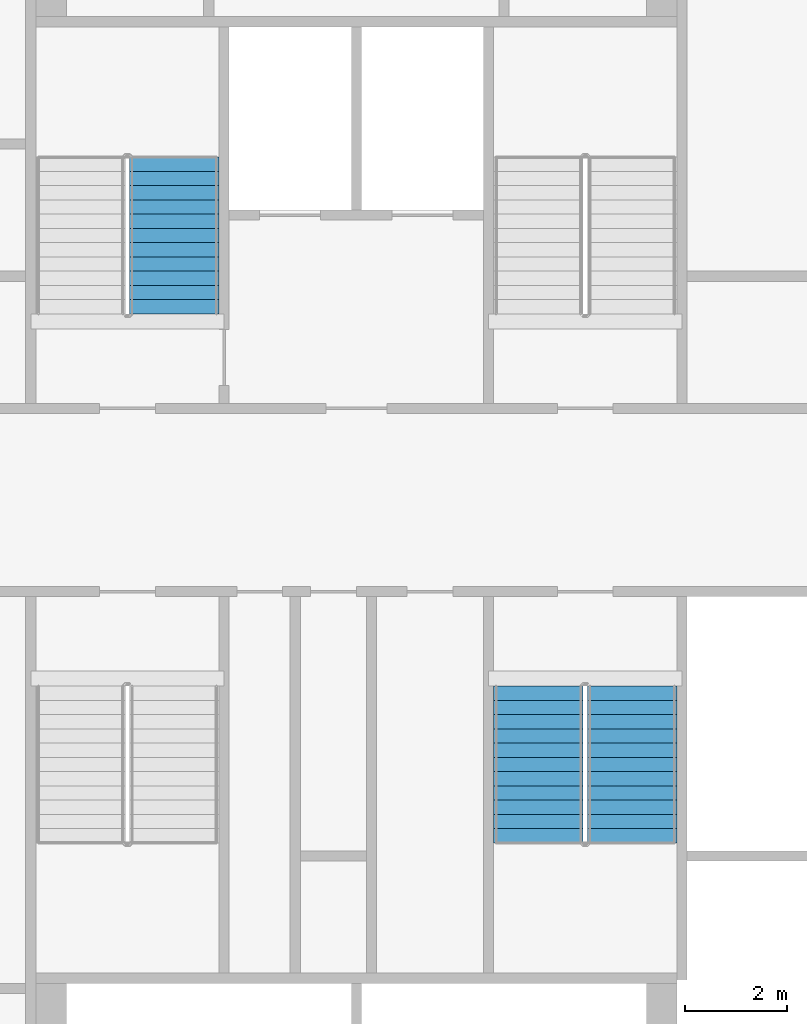
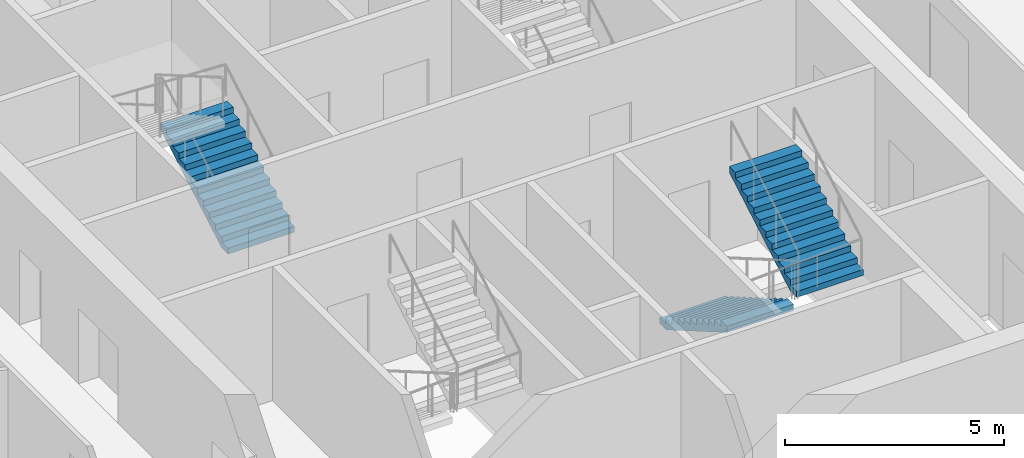
# One storey, part 15 of 21: 3 stair flights, 2 elements without a shape of their own.
"""IFC4 building model written with IfcOpenShell, lengths in metres."""

from ifc_helpers import new_model, si_unit, direction, frame, origin, place, context, subcontext, project, spatial, faceted_brep, material, type_object, element, aggregate, save


model = new_model("IFC4")

# Units and contexts
model_context = context("Model", 3, precision=1e-05, world=origin(), true_north=direction((0.0, 1.0)))
body_context = subcontext(model_context, "Body", "Model", "MODEL_VIEW")
ifc_project = project(units=[si_unit("LENGTHUNIT", "METRE"), si_unit("AREAUNIT", "SQUARE_METRE"), si_unit("VOLUMEUNIT", "CUBIC_METRE"), si_unit("PLANEANGLEUNIT", "RADIAN"), si_unit("MASSUNIT", "GRAM", prefix="KILO")], contexts=[model_context])

# Site, building, storey
site_placement = place(None, origin())
site = spatial("IfcSite", under=ifc_project, at=site_placement, CompositionType="ELEMENT")
building_placement = place(site_placement, origin())
building = spatial("IfcBuilding", under=site, at=building_placement, Name="Tarsis Ring Headquarters", CompositionType="ELEMENT")
storey_placement = place(building_placement, frame((0.0, 0.0, 208.199951171875)))
storey = spatial("IfcBuildingStorey", under=building, at=storey_placement, Name="L48", CompositionType="ELEMENT", Elevation=208.199951171875)

# Stair, stair flight
ifc_material_1 = material(Name="Core stair 1760")
stair_type = type_object("IfcStairType", Name="Core stair 1760", PredefinedType="HALF_TURN_STAIR", material=ifc_material_1)
stair_1_placement = place(storey_placement, origin())
stair_1 = element("IfcStair", 1, at=stair_1_placement, inside=storey, type_object=stair_type, Name="L48 Firefighting stair", PredefinedType="HALF_TURN_STAIR")
ifc_material_2 = material(Name="Concrete C40/50", Category="concrete")
stair_flight_type = type_object("IfcStairFlightType", Name="Core stair flight 1760", PredefinedType="STRAIGHT", material=ifc_material_2)
stair_flight_1_placement = place(storey_placement, frame((-3.580078125, 3.659912109375, 0.0), z_axis=(0.0, 0.0, 1.0), x_axis=(0.0, 1.0, 0.0)))
stair_flight_1 = element("IfcStairFlight", 2, at=stair_flight_1_placement, type_object=stair_flight_type, Name="Stair ST1 flight 1", NumberOfRisers=12, NumberOfTreads=11, PredefinedType="STRAIGHT", RiserHeight=0.1625, TreadLength=0.28, context=body_context, shape_type="Brep", body=[
    faceted_brep([(0.0, 0.8798828125, 0.0), (0.0, 0.8798828125, 0.16259765625), (0.280029296875, 0.8798828125, 0.16259765625), (0.280029296875, 0.8798828125, 0.324951171875), (0.56005859375, 0.8798828125, 0.324951171875), (0.56005859375, 0.8798828125, 0.487548828125), (0.840087890625, 0.8798828125, 0.487548828125), (0.840087890625, 0.8798828125, 0.64990234375), (1.1201171875, 0.8798828125, 0.64990234375), (1.1201171875, 0.8798828125, 0.8125), (1.39990234375, 0.8798828125, 0.8125), (1.39990234375, 0.8798828125, 0.97509765625), (1.679931640625, 0.8798828125, 0.97509765625), (1.679931640625, 0.8798828125, 1.137451171875), (1.9599609375, 0.8798828125, 1.137451171875), (1.9599609375, 0.8798828125, 1.300048828125), (2.239990234375, 0.8798828125, 1.300048828125), (2.239990234375, 0.8798828125, 1.46240234375), (2.52001953125, 0.8798828125, 1.46240234375), (2.52001953125, 0.8798828125, 1.625), (2.800048828125, 0.8798828125, 1.625), (2.800048828125, 0.8798828125, 1.78759765625), (3.080078125, 0.8798828125, 1.78759765625), (3.080078125, 0.8798828125, 1.6142578125), (0.298583984375, 0.8798828125, 0.0), (0.298583984375, -0.8798828125, 0.0), (3.080078125, -0.8798828125, 1.6142578125), (3.080078125, -0.8798828125, 1.78759765625), (2.800048828125, -0.8798828125, 1.78759765625), (2.800048828125, -0.8798828125, 1.625), (2.52001953125, -0.8798828125, 1.625), (2.52001953125, -0.8798828125, 1.46240234375), (2.239990234375, -0.8798828125, 1.46240234375), (2.239990234375, -0.8798828125, 1.300048828125), (1.9599609375, -0.8798828125, 1.300048828125), (1.9599609375, -0.8798828125, 1.137451171875), (1.679931640625, -0.8798828125, 1.137451171875), (1.679931640625, -0.8798828125, 0.97509765625), (1.39990234375, -0.8798828125, 0.97509765625), (1.39990234375, -0.8798828125, 0.8125), (1.1201171875, -0.8798828125, 0.8125), (1.1201171875, -0.8798828125, 0.64990234375), (0.840087890625, -0.8798828125, 0.64990234375), (0.840087890625, -0.8798828125, 0.487548828125), (0.56005859375, -0.8798828125, 0.487548828125), (0.56005859375, -0.8798828125, 0.324951171875), (0.280029296875, -0.8798828125, 0.324951171875), (0.280029296875, -0.8798828125, 0.16259765625), (0.0, -0.8798828125, 0.16259765625), (0.0, -0.8798828125, 0.0), (0.0, -0.43994140625, 0.16259765625), (0.0, -0.43994140625, 0.0), (0.0, 0.0, 0.16259765625), (0.0, 0.0, 0.0), (0.0, 0.43994140625, 0.16259765625), (0.0, 0.43994140625, 0.0), (0.280029296875, -0.43994140625, 0.16259765625), (0.280029296875, 0.0, 0.16259765625), (0.280029296875, 0.43994140625, 0.16259765625), (0.280029296875, -0.43994140625, 0.324951171875), (0.280029296875, 0.0, 0.324951171875), (0.280029296875, 0.43994140625, 0.324951171875), (0.56005859375, -0.43994140625, 0.324951171875), (0.56005859375, 0.0, 0.324951171875), (0.56005859375, 0.43994140625, 0.324951171875), (0.56005859375, -0.43994140625, 0.487548828125), (0.56005859375, 0.0, 0.487548828125), (0.56005859375, 0.43994140625, 0.487548828125), (0.840087890625, -0.43994140625, 0.487548828125), (0.840087890625, 0.0, 0.487548828125), (0.840087890625, 0.43994140625, 0.487548828125), (0.840087890625, -0.43994140625, 0.64990234375), (0.840087890625, 0.0, 0.64990234375), (0.840087890625, 0.43994140625, 0.64990234375), (1.1201171875, -0.43994140625, 0.64990234375), (1.1201171875, 0.0, 0.64990234375), (1.1201171875, 0.43994140625, 0.64990234375), (1.1201171875, -0.43994140625, 0.8125), (1.1201171875, 0.0, 0.8125), (1.1201171875, 0.43994140625, 0.8125), (1.39990234375, -0.43994140625, 0.8125), (1.39990234375, 0.0, 0.8125), (1.39990234375, 0.43994140625, 0.8125), (1.39990234375, -0.43994140625, 0.97509765625), (1.39990234375, 0.0, 0.97509765625), (1.39990234375, 0.43994140625, 0.97509765625), (1.679931640625, -0.43994140625, 0.97509765625), (1.679931640625, 0.0, 0.97509765625), (1.679931640625, 0.43994140625, 0.97509765625), (1.679931640625, -0.43994140625, 1.137451171875), (1.679931640625, 0.0, 1.137451171875), (1.679931640625, 0.43994140625, 1.137451171875), (1.9599609375, -0.43994140625, 1.137451171875), (1.9599609375, 0.0, 1.137451171875), (1.9599609375, 0.43994140625, 1.137451171875), (1.9599609375, -0.43994140625, 1.300048828125), (1.9599609375, 0.0, 1.300048828125), (1.9599609375, 0.43994140625, 1.300048828125), (2.239990234375, -0.43994140625, 1.300048828125), (2.239990234375, 0.0, 1.300048828125), (2.239990234375, 0.43994140625, 1.300048828125), (2.239990234375, -0.43994140625, 1.46240234375), (2.239990234375, 0.0, 1.46240234375), (2.239990234375, 0.43994140625, 1.46240234375), (2.52001953125, -0.43994140625, 1.46240234375), (2.52001953125, 0.0, 1.46240234375), (2.52001953125, 0.43994140625, 1.46240234375), (2.52001953125, -0.43994140625, 1.625), (2.52001953125, 0.0, 1.625), (2.52001953125, 0.43994140625, 1.625), (2.800048828125, -0.43994140625, 1.625), (2.800048828125, 0.0, 1.625), (2.800048828125, 0.43994140625, 1.625), (2.800048828125, -0.43994140625, 1.78759765625), (2.800048828125, 0.0, 1.78759765625), (2.800048828125, 0.43994140625, 1.78759765625), (3.080078125, -0.43994140625, 1.78759765625), (3.080078125, 0.0, 1.78759765625), (3.080078125, 0.43994140625, 1.78759765625), (3.080078125, -0.43994140625, 1.6142578125), (3.080078125, 0.0, 1.6142578125), (3.080078125, 0.43994140625, 1.6142578125), (0.298583984375, -0.43994140625, 0.0), (0.298583984375, 0.0, 0.0), (0.298583984375, 0.43994140625, 0.0)], [[[0, 1, 2, 3, 4, 5, 6, 7, 8, 9, 10, 11, 12, 13, 14, 15, 16, 17, 18, 19, 20, 21, 22, 23, 24]], [[25, 26, 27, 28, 29, 30, 31, 32, 33, 34, 35, 36, 37, 38, 39, 40, 41, 42, 43, 44, 45, 46, 47, 48, 49]], [[49, 48, 50, 51]], [[51, 50, 52, 53]], [[53, 52, 54, 55]], [[55, 54, 1, 0]], [[48, 47, 56, 50]], [[50, 56, 57, 52]], [[52, 57, 58, 54]], [[54, 58, 2, 1]], [[47, 46, 59, 56]], [[56, 59, 60, 57]], [[57, 60, 61, 58]], [[58, 61, 3, 2]], [[46, 45, 62, 59]], [[59, 62, 63, 60]], [[60, 63, 64, 61]], [[61, 64, 4, 3]], [[45, 44, 65, 62]], [[62, 65, 66, 63]], [[63, 66, 67, 64]], [[64, 67, 5, 4]], [[44, 43, 68, 65]], [[65, 68, 69, 66]], [[66, 69, 70, 67]], [[67, 70, 6, 5]], [[43, 42, 71, 68]], [[68, 71, 72, 69]], [[69, 72, 73, 70]], [[70, 73, 7, 6]], [[42, 41, 74, 71]], [[71, 74, 75, 72]], [[72, 75, 76, 73]], [[73, 76, 8, 7]], [[41, 40, 77, 74]], [[74, 77, 78, 75]], [[75, 78, 79, 76]], [[76, 79, 9, 8]], [[40, 39, 80, 77]], [[77, 80, 81, 78]], [[78, 81, 82, 79]], [[79, 82, 10, 9]], [[39, 38, 83, 80]], [[80, 83, 84, 81]], [[81, 84, 85, 82]], [[82, 85, 11, 10]], [[38, 37, 86, 83]], [[83, 86, 87, 84]], [[84, 87, 88, 85]], [[85, 88, 12, 11]], [[37, 36, 89, 86]], [[86, 89, 90, 87]], [[87, 90, 91, 88]], [[88, 91, 13, 12]], [[36, 35, 92, 89]], [[89, 92, 93, 90]], [[90, 93, 94, 91]], [[91, 94, 14, 13]], [[35, 34, 95, 92]], [[92, 95, 96, 93]], [[93, 96, 97, 94]], [[94, 97, 15, 14]], [[34, 33, 98, 95]], [[95, 98, 99, 96]], [[96, 99, 100, 97]], [[97, 100, 16, 15]], [[33, 32, 101, 98]], [[98, 101, 102, 99]], [[99, 102, 103, 100]], [[100, 103, 17, 16]], [[32, 31, 104, 101]], [[101, 104, 105, 102]], [[102, 105, 106, 103]], [[103, 106, 18, 17]], [[31, 30, 107, 104]], [[104, 107, 108, 105]], [[105, 108, 109, 106]], [[106, 109, 19, 18]], [[30, 29, 110, 107]], [[107, 110, 111, 108]], [[108, 111, 112, 109]], [[109, 112, 20, 19]], [[29, 28, 113, 110]], [[110, 113, 114, 111]], [[111, 114, 115, 112]], [[112, 115, 21, 20]], [[28, 27, 116, 113]], [[113, 116, 117, 114]], [[114, 117, 118, 115]], [[115, 118, 22, 21]], [[27, 26, 119, 116]], [[116, 119, 120, 117]], [[117, 120, 121, 118]], [[118, 121, 23, 22]], [[26, 25, 122, 119]], [[119, 122, 123, 120]], [[120, 123, 124, 121]], [[121, 124, 24, 23]], [[25, 49, 51, 122]], [[122, 51, 53, 123]], [[123, 53, 55, 124]], [[124, 55, 0, 24]]]),
])
aggregate(stair_1, [stair_flight_1])

# Stair, stair flights
stair_2_placement = place(storey_placement, origin())
stair_2 = element("IfcStair", 3, at=stair_2_placement, inside=storey, type_object=stair_type, Name="L48 Exit stair D", PredefinedType="HALF_TURN_STAIR")
stair_flight_2_placement = place(storey_placement, frame((3.580078125, -3.659912109375, 0.0), z_axis=(0.0, 0.0, 1.0), x_axis=(0.0, -1.0, 0.0)))
stair_flight_2 = element("IfcStairFlight", 4, at=stair_flight_2_placement, type_object=stair_flight_type, Name="Stair ST4 flight 1", NumberOfRisers=12, NumberOfTreads=11, PredefinedType="STRAIGHT", RiserHeight=0.1625, TreadLength=0.28, context=body_context, shape_type="Brep", body=[
    faceted_brep([(0.0, 0.8798828125, 0.0), (0.0, 0.8798828125, 0.16259765625), (0.280029296875, 0.8798828125, 0.16259765625), (0.280029296875, 0.8798828125, 0.324951171875), (0.56005859375, 0.8798828125, 0.324951171875), (0.56005859375, 0.8798828125, 0.487548828125), (0.840087890625, 0.8798828125, 0.487548828125), (0.840087890625, 0.8798828125, 0.64990234375), (1.1201171875, 0.8798828125, 0.64990234375), (1.1201171875, 0.8798828125, 0.8125), (1.39990234375, 0.8798828125, 0.8125), (1.39990234375, 0.8798828125, 0.97509765625), (1.679931640625, 0.8798828125, 0.97509765625), (1.679931640625, 0.8798828125, 1.137451171875), (1.9599609375, 0.8798828125, 1.137451171875), (1.9599609375, 0.8798828125, 1.300048828125), (2.239990234375, 0.8798828125, 1.300048828125), (2.239990234375, 0.8798828125, 1.46240234375), (2.52001953125, 0.8798828125, 1.46240234375), (2.52001953125, 0.8798828125, 1.625), (2.800048828125, 0.8798828125, 1.625), (2.800048828125, 0.8798828125, 1.78759765625), (3.080078125, 0.8798828125, 1.78759765625), (3.080078125, 0.8798828125, 1.6142578125), (0.298583984375, 0.8798828125, 0.0), (0.298583984375, -0.8798828125, 0.0), (3.080078125, -0.8798828125, 1.6142578125), (3.080078125, -0.8798828125, 1.78759765625), (2.800048828125, -0.8798828125, 1.78759765625), (2.800048828125, -0.8798828125, 1.625), (2.52001953125, -0.8798828125, 1.625), (2.52001953125, -0.8798828125, 1.46240234375), (2.239990234375, -0.8798828125, 1.46240234375), (2.239990234375, -0.8798828125, 1.300048828125), (1.9599609375, -0.8798828125, 1.300048828125), (1.9599609375, -0.8798828125, 1.137451171875), (1.679931640625, -0.8798828125, 1.137451171875), (1.679931640625, -0.8798828125, 0.97509765625), (1.39990234375, -0.8798828125, 0.97509765625), (1.39990234375, -0.8798828125, 0.8125), (1.1201171875, -0.8798828125, 0.8125), (1.1201171875, -0.8798828125, 0.64990234375), (0.840087890625, -0.8798828125, 0.64990234375), (0.840087890625, -0.8798828125, 0.487548828125), (0.56005859375, -0.8798828125, 0.487548828125), (0.56005859375, -0.8798828125, 0.324951171875), (0.280029296875, -0.8798828125, 0.324951171875), (0.280029296875, -0.8798828125, 0.16259765625), (0.0, -0.8798828125, 0.16259765625), (0.0, -0.8798828125, 0.0), (0.0, -0.43994140625, 0.16259765625), (0.0, -0.43994140625, 0.0), (0.0, 0.0, 0.16259765625), (0.0, 0.0, 0.0), (0.0, 0.43994140625, 0.16259765625), (0.0, 0.43994140625, 0.0), (0.280029296875, -0.43994140625, 0.16259765625), (0.280029296875, 0.0, 0.16259765625), (0.280029296875, 0.43994140625, 0.16259765625), (0.280029296875, -0.43994140625, 0.324951171875), (0.280029296875, 0.0, 0.324951171875), (0.280029296875, 0.43994140625, 0.324951171875), (0.56005859375, -0.43994140625, 0.324951171875), (0.56005859375, 0.0, 0.324951171875), (0.56005859375, 0.43994140625, 0.324951171875), (0.56005859375, -0.43994140625, 0.487548828125), (0.56005859375, 0.0, 0.487548828125), (0.56005859375, 0.43994140625, 0.487548828125), (0.840087890625, -0.43994140625, 0.487548828125), (0.840087890625, 0.0, 0.487548828125), (0.840087890625, 0.43994140625, 0.487548828125), (0.840087890625, -0.43994140625, 0.64990234375), (0.840087890625, 0.0, 0.64990234375), (0.840087890625, 0.43994140625, 0.64990234375), (1.1201171875, -0.43994140625, 0.64990234375), (1.1201171875, 0.0, 0.64990234375), (1.1201171875, 0.43994140625, 0.64990234375), (1.1201171875, -0.43994140625, 0.8125), (1.1201171875, 0.0, 0.8125), (1.1201171875, 0.43994140625, 0.8125), (1.39990234375, -0.43994140625, 0.8125), (1.39990234375, 0.0, 0.8125), (1.39990234375, 0.43994140625, 0.8125), (1.39990234375, -0.43994140625, 0.97509765625), (1.39990234375, 0.0, 0.97509765625), (1.39990234375, 0.43994140625, 0.97509765625), (1.679931640625, -0.43994140625, 0.97509765625), (1.679931640625, 0.0, 0.97509765625), (1.679931640625, 0.43994140625, 0.97509765625), (1.679931640625, -0.43994140625, 1.137451171875), (1.679931640625, 0.0, 1.137451171875), (1.679931640625, 0.43994140625, 1.137451171875), (1.9599609375, -0.43994140625, 1.137451171875), (1.9599609375, 0.0, 1.137451171875), (1.9599609375, 0.43994140625, 1.137451171875), (1.9599609375, -0.43994140625, 1.300048828125), (1.9599609375, 0.0, 1.300048828125), (1.9599609375, 0.43994140625, 1.300048828125), (2.239990234375, -0.43994140625, 1.300048828125), (2.239990234375, 0.0, 1.300048828125), (2.239990234375, 0.43994140625, 1.300048828125), (2.239990234375, -0.43994140625, 1.46240234375), (2.239990234375, 0.0, 1.46240234375), (2.239990234375, 0.43994140625, 1.46240234375), (2.52001953125, -0.43994140625, 1.46240234375), (2.52001953125, 0.0, 1.46240234375), (2.52001953125, 0.43994140625, 1.46240234375), (2.52001953125, -0.43994140625, 1.625), (2.52001953125, 0.0, 1.625), (2.52001953125, 0.43994140625, 1.625), (2.800048828125, -0.43994140625, 1.625), (2.800048828125, 0.0, 1.625), (2.800048828125, 0.43994140625, 1.625), (2.800048828125, -0.43994140625, 1.78759765625), (2.800048828125, 0.0, 1.78759765625), (2.800048828125, 0.43994140625, 1.78759765625), (3.080078125, -0.43994140625, 1.78759765625), (3.080078125, 0.0, 1.78759765625), (3.080078125, 0.43994140625, 1.78759765625), (3.080078125, -0.43994140625, 1.6142578125), (3.080078125, 0.0, 1.6142578125), (3.080078125, 0.43994140625, 1.6142578125), (0.298583984375, -0.43994140625, 0.0), (0.298583984375, 0.0, 0.0), (0.298583984375, 0.43994140625, 0.0)], [[[0, 1, 2, 3, 4, 5, 6, 7, 8, 9, 10, 11, 12, 13, 14, 15, 16, 17, 18, 19, 20, 21, 22, 23, 24]], [[25, 26, 27, 28, 29, 30, 31, 32, 33, 34, 35, 36, 37, 38, 39, 40, 41, 42, 43, 44, 45, 46, 47, 48, 49]], [[49, 48, 50, 51]], [[51, 50, 52, 53]], [[53, 52, 54, 55]], [[55, 54, 1, 0]], [[48, 47, 56, 50]], [[50, 56, 57, 52]], [[52, 57, 58, 54]], [[54, 58, 2, 1]], [[47, 46, 59, 56]], [[56, 59, 60, 57]], [[57, 60, 61, 58]], [[58, 61, 3, 2]], [[46, 45, 62, 59]], [[59, 62, 63, 60]], [[60, 63, 64, 61]], [[61, 64, 4, 3]], [[45, 44, 65, 62]], [[62, 65, 66, 63]], [[63, 66, 67, 64]], [[64, 67, 5, 4]], [[44, 43, 68, 65]], [[65, 68, 69, 66]], [[66, 69, 70, 67]], [[67, 70, 6, 5]], [[43, 42, 71, 68]], [[68, 71, 72, 69]], [[69, 72, 73, 70]], [[70, 73, 7, 6]], [[42, 41, 74, 71]], [[71, 74, 75, 72]], [[72, 75, 76, 73]], [[73, 76, 8, 7]], [[41, 40, 77, 74]], [[74, 77, 78, 75]], [[75, 78, 79, 76]], [[76, 79, 9, 8]], [[40, 39, 80, 77]], [[77, 80, 81, 78]], [[78, 81, 82, 79]], [[79, 82, 10, 9]], [[39, 38, 83, 80]], [[80, 83, 84, 81]], [[81, 84, 85, 82]], [[82, 85, 11, 10]], [[38, 37, 86, 83]], [[83, 86, 87, 84]], [[84, 87, 88, 85]], [[85, 88, 12, 11]], [[37, 36, 89, 86]], [[86, 89, 90, 87]], [[87, 90, 91, 88]], [[88, 91, 13, 12]], [[36, 35, 92, 89]], [[89, 92, 93, 90]], [[90, 93, 94, 91]], [[91, 94, 14, 13]], [[35, 34, 95, 92]], [[92, 95, 96, 93]], [[93, 96, 97, 94]], [[94, 97, 15, 14]], [[34, 33, 98, 95]], [[95, 98, 99, 96]], [[96, 99, 100, 97]], [[97, 100, 16, 15]], [[33, 32, 101, 98]], [[98, 101, 102, 99]], [[99, 102, 103, 100]], [[100, 103, 17, 16]], [[32, 31, 104, 101]], [[101, 104, 105, 102]], [[102, 105, 106, 103]], [[103, 106, 18, 17]], [[31, 30, 107, 104]], [[104, 107, 108, 105]], [[105, 108, 109, 106]], [[106, 109, 19, 18]], [[30, 29, 110, 107]], [[107, 110, 111, 108]], [[108, 111, 112, 109]], [[109, 112, 20, 19]], [[29, 28, 113, 110]], [[110, 113, 114, 111]], [[111, 114, 115, 112]], [[112, 115, 21, 20]], [[28, 27, 116, 113]], [[113, 116, 117, 114]], [[114, 117, 118, 115]], [[115, 118, 22, 21]], [[27, 26, 119, 116]], [[116, 119, 120, 117]], [[117, 120, 121, 118]], [[118, 121, 23, 22]], [[26, 25, 122, 119]], [[119, 122, 123, 120]], [[120, 123, 124, 121]], [[121, 124, 24, 23]], [[25, 49, 51, 122]], [[122, 51, 53, 123]], [[123, 53, 55, 124]], [[124, 55, 0, 24]]]),
])
stair_flight_3_placement = place(storey_placement, frame((5.419921875, -6.739990234375, 1.949951171875), z_axis=(0.0, 0.0, 1.0), x_axis=(0.0, 1.0, 0.0)))
stair_flight_3 = element("IfcStairFlight", 5, at=stair_flight_3_placement, type_object=stair_flight_type, Name="Stair ST4 flight 2", NumberOfRisers=12, NumberOfTreads=11, PredefinedType="STRAIGHT", RiserHeight=0.1625, TreadLength=0.28, context=body_context, shape_type="Brep", body=[
    faceted_brep([(0.0, 0.8798828125, 0.0), (0.0, 0.8798828125, 0.16259765625), (0.280029296875, 0.8798828125, 0.16259765625), (0.280029296875, 0.8798828125, 0.324951171875), (0.56005859375, 0.8798828125, 0.324951171875), (0.56005859375, 0.8798828125, 0.487548828125), (0.840087890625, 0.8798828125, 0.487548828125), (0.840087890625, 0.8798828125, 0.64990234375), (1.1201171875, 0.8798828125, 0.64990234375), (1.1201171875, 0.8798828125, 0.8125), (1.39990234375, 0.8798828125, 0.8125), (1.39990234375, 0.8798828125, 0.97509765625), (1.679931640625, 0.8798828125, 0.97509765625), (1.679931640625, 0.8798828125, 1.137451171875), (1.9599609375, 0.8798828125, 1.137451171875), (1.9599609375, 0.8798828125, 1.300048828125), (2.239990234375, 0.8798828125, 1.300048828125), (2.239990234375, 0.8798828125, 1.46240234375), (2.52001953125, 0.8798828125, 1.46240234375), (2.52001953125, 0.8798828125, 1.625), (2.800048828125, 0.8798828125, 1.625), (2.800048828125, 0.8798828125, 1.78759765625), (3.080078125, 0.8798828125, 1.78759765625), (3.080078125, 0.8798828125, 1.6142578125), (0.298583984375, 0.8798828125, 0.0), (0.298583984375, -0.8798828125, 0.0), (3.080078125, -0.8798828125, 1.6142578125), (3.080078125, -0.8798828125, 1.78759765625), (2.800048828125, -0.8798828125, 1.78759765625), (2.800048828125, -0.8798828125, 1.625), (2.52001953125, -0.8798828125, 1.625), (2.52001953125, -0.8798828125, 1.46240234375), (2.239990234375, -0.8798828125, 1.46240234375), (2.239990234375, -0.8798828125, 1.300048828125), (1.9599609375, -0.8798828125, 1.300048828125), (1.9599609375, -0.8798828125, 1.137451171875), (1.679931640625, -0.8798828125, 1.137451171875), (1.679931640625, -0.8798828125, 0.97509765625), (1.39990234375, -0.8798828125, 0.97509765625), (1.39990234375, -0.8798828125, 0.8125), (1.1201171875, -0.8798828125, 0.8125), (1.1201171875, -0.8798828125, 0.64990234375), (0.840087890625, -0.8798828125, 0.64990234375), (0.840087890625, -0.8798828125, 0.487548828125), (0.56005859375, -0.8798828125, 0.487548828125), (0.56005859375, -0.8798828125, 0.324951171875), (0.280029296875, -0.8798828125, 0.324951171875), (0.280029296875, -0.8798828125, 0.16259765625), (0.0, -0.8798828125, 0.16259765625), (0.0, -0.8798828125, 0.0), (0.0, -0.43994140625, 0.16259765625), (0.0, -0.43994140625, 0.0), (0.0, 0.0, 0.16259765625), (0.0, 0.0, 0.0), (0.0, 0.43994140625, 0.16259765625), (0.0, 0.43994140625, 0.0), (0.280029296875, -0.43994140625, 0.16259765625), (0.280029296875, 0.0, 0.16259765625), (0.280029296875, 0.43994140625, 0.16259765625), (0.280029296875, -0.43994140625, 0.324951171875), (0.280029296875, 0.0, 0.324951171875), (0.280029296875, 0.43994140625, 0.324951171875), (0.56005859375, -0.43994140625, 0.324951171875), (0.56005859375, 0.0, 0.324951171875), (0.56005859375, 0.43994140625, 0.324951171875), (0.56005859375, -0.43994140625, 0.487548828125), (0.56005859375, 0.0, 0.487548828125), (0.56005859375, 0.43994140625, 0.487548828125), (0.840087890625, -0.43994140625, 0.487548828125), (0.840087890625, 0.0, 0.487548828125), (0.840087890625, 0.43994140625, 0.487548828125), (0.840087890625, -0.43994140625, 0.64990234375), (0.840087890625, 0.0, 0.64990234375), (0.840087890625, 0.43994140625, 0.64990234375), (1.1201171875, -0.43994140625, 0.64990234375), (1.1201171875, 0.0, 0.64990234375), (1.1201171875, 0.43994140625, 0.64990234375), (1.1201171875, -0.43994140625, 0.8125), (1.1201171875, 0.0, 0.8125), (1.1201171875, 0.43994140625, 0.8125), (1.39990234375, -0.43994140625, 0.8125), (1.39990234375, 0.0, 0.8125), (1.39990234375, 0.43994140625, 0.8125), (1.39990234375, -0.43994140625, 0.97509765625), (1.39990234375, 0.0, 0.97509765625), (1.39990234375, 0.43994140625, 0.97509765625), (1.679931640625, -0.43994140625, 0.97509765625), (1.679931640625, 0.0, 0.97509765625), (1.679931640625, 0.43994140625, 0.97509765625), (1.679931640625, -0.43994140625, 1.137451171875), (1.679931640625, 0.0, 1.137451171875), (1.679931640625, 0.43994140625, 1.137451171875), (1.9599609375, -0.43994140625, 1.137451171875), (1.9599609375, 0.0, 1.137451171875), (1.9599609375, 0.43994140625, 1.137451171875), (1.9599609375, -0.43994140625, 1.300048828125), (1.9599609375, 0.0, 1.300048828125), (1.9599609375, 0.43994140625, 1.300048828125), (2.239990234375, -0.43994140625, 1.300048828125), (2.239990234375, 0.0, 1.300048828125), (2.239990234375, 0.43994140625, 1.300048828125), (2.239990234375, -0.43994140625, 1.46240234375), (2.239990234375, 0.0, 1.46240234375), (2.239990234375, 0.43994140625, 1.46240234375), (2.52001953125, -0.43994140625, 1.46240234375), (2.52001953125, 0.0, 1.46240234375), (2.52001953125, 0.43994140625, 1.46240234375), (2.52001953125, -0.43994140625, 1.625), (2.52001953125, 0.0, 1.625), (2.52001953125, 0.43994140625, 1.625), (2.800048828125, -0.43994140625, 1.625), (2.800048828125, 0.0, 1.625), (2.800048828125, 0.43994140625, 1.625), (2.800048828125, -0.43994140625, 1.78759765625), (2.800048828125, 0.0, 1.78759765625), (2.800048828125, 0.43994140625, 1.78759765625), (3.080078125, -0.43994140625, 1.78759765625), (3.080078125, 0.0, 1.78759765625), (3.080078125, 0.43994140625, 1.78759765625), (3.080078125, -0.43994140625, 1.6142578125), (3.080078125, 0.0, 1.6142578125), (3.080078125, 0.43994140625, 1.6142578125), (0.298583984375, -0.43994140625, 0.0), (0.298583984375, 0.0, 0.0), (0.298583984375, 0.43994140625, 0.0)], [[[0, 1, 2, 3, 4, 5, 6, 7, 8, 9, 10, 11, 12, 13, 14, 15, 16, 17, 18, 19, 20, 21, 22, 23, 24]], [[25, 26, 27, 28, 29, 30, 31, 32, 33, 34, 35, 36, 37, 38, 39, 40, 41, 42, 43, 44, 45, 46, 47, 48, 49]], [[49, 48, 50, 51]], [[51, 50, 52, 53]], [[53, 52, 54, 55]], [[55, 54, 1, 0]], [[48, 47, 56, 50]], [[50, 56, 57, 52]], [[52, 57, 58, 54]], [[54, 58, 2, 1]], [[47, 46, 59, 56]], [[56, 59, 60, 57]], [[57, 60, 61, 58]], [[58, 61, 3, 2]], [[46, 45, 62, 59]], [[59, 62, 63, 60]], [[60, 63, 64, 61]], [[61, 64, 4, 3]], [[45, 44, 65, 62]], [[62, 65, 66, 63]], [[63, 66, 67, 64]], [[64, 67, 5, 4]], [[44, 43, 68, 65]], [[65, 68, 69, 66]], [[66, 69, 70, 67]], [[67, 70, 6, 5]], [[43, 42, 71, 68]], [[68, 71, 72, 69]], [[69, 72, 73, 70]], [[70, 73, 7, 6]], [[42, 41, 74, 71]], [[71, 74, 75, 72]], [[72, 75, 76, 73]], [[73, 76, 8, 7]], [[41, 40, 77, 74]], [[74, 77, 78, 75]], [[75, 78, 79, 76]], [[76, 79, 9, 8]], [[40, 39, 80, 77]], [[77, 80, 81, 78]], [[78, 81, 82, 79]], [[79, 82, 10, 9]], [[39, 38, 83, 80]], [[80, 83, 84, 81]], [[81, 84, 85, 82]], [[82, 85, 11, 10]], [[38, 37, 86, 83]], [[83, 86, 87, 84]], [[84, 87, 88, 85]], [[85, 88, 12, 11]], [[37, 36, 89, 86]], [[86, 89, 90, 87]], [[87, 90, 91, 88]], [[88, 91, 13, 12]], [[36, 35, 92, 89]], [[89, 92, 93, 90]], [[90, 93, 94, 91]], [[91, 94, 14, 13]], [[35, 34, 95, 92]], [[92, 95, 96, 93]], [[93, 96, 97, 94]], [[94, 97, 15, 14]], [[34, 33, 98, 95]], [[95, 98, 99, 96]], [[96, 99, 100, 97]], [[97, 100, 16, 15]], [[33, 32, 101, 98]], [[98, 101, 102, 99]], [[99, 102, 103, 100]], [[100, 103, 17, 16]], [[32, 31, 104, 101]], [[101, 104, 105, 102]], [[102, 105, 106, 103]], [[103, 106, 18, 17]], [[31, 30, 107, 104]], [[104, 107, 108, 105]], [[105, 108, 109, 106]], [[106, 109, 19, 18]], [[30, 29, 110, 107]], [[107, 110, 111, 108]], [[108, 111, 112, 109]], [[109, 112, 20, 19]], [[29, 28, 113, 110]], [[110, 113, 114, 111]], [[111, 114, 115, 112]], [[112, 115, 21, 20]], [[28, 27, 116, 113]], [[113, 116, 117, 114]], [[114, 117, 118, 115]], [[115, 118, 22, 21]], [[27, 26, 119, 116]], [[116, 119, 120, 117]], [[117, 120, 121, 118]], [[118, 121, 23, 22]], [[26, 25, 122, 119]], [[119, 122, 123, 120]], [[120, 123, 124, 121]], [[121, 124, 24, 23]], [[25, 49, 51, 122]], [[122, 51, 53, 123]], [[123, 53, 55, 124]], [[124, 55, 0, 24]]]),
])
aggregate(stair_2, [stair_flight_2, stair_flight_3])

save(model, "model.ifc")
